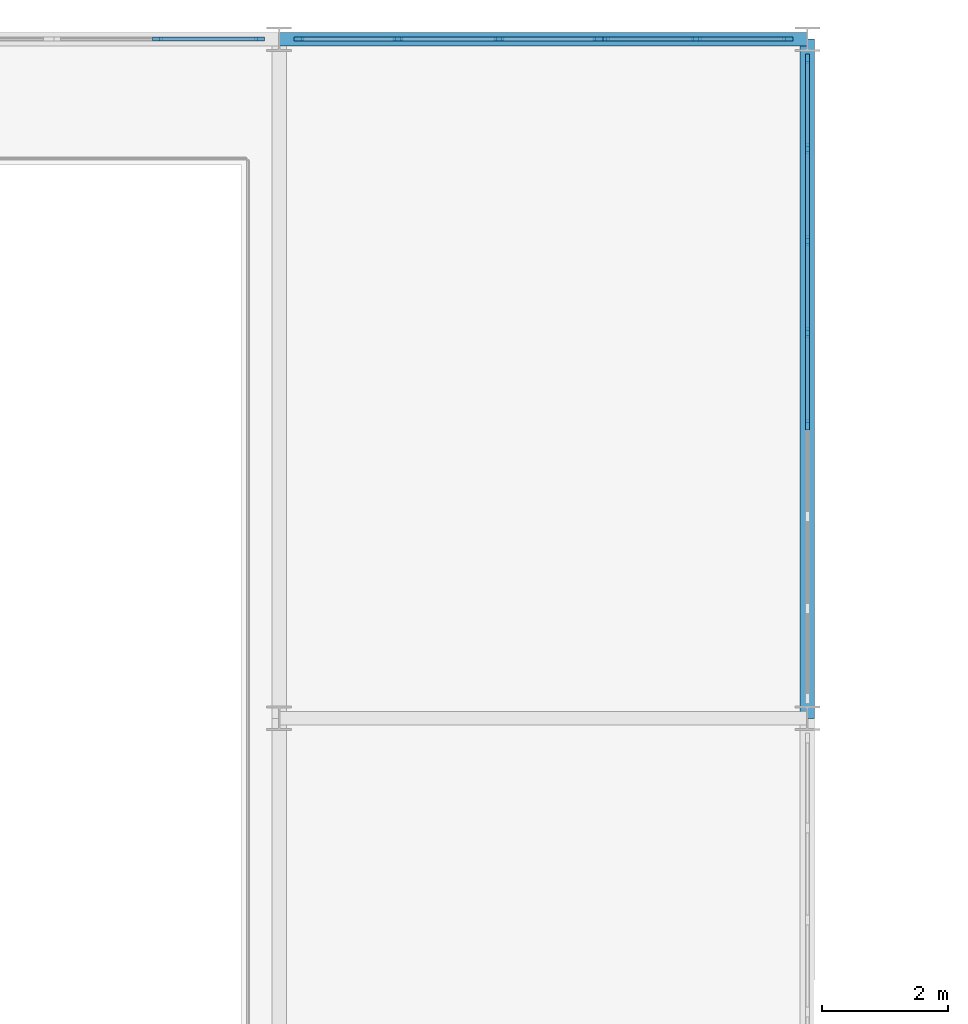
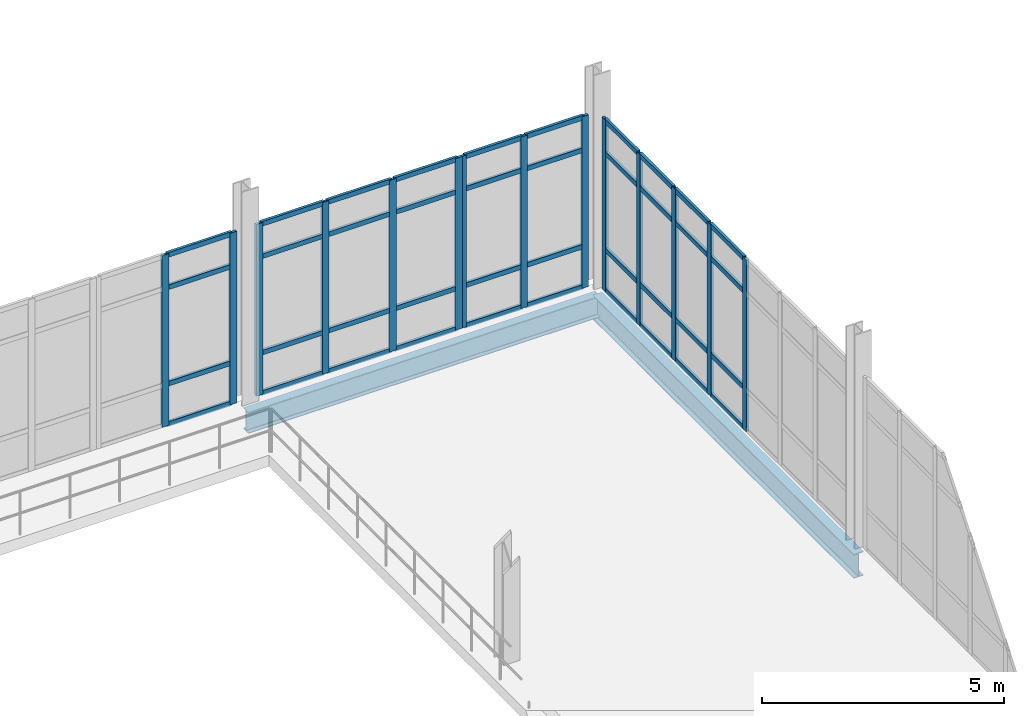
# One storey, part 60 of 111: 54 members, 2 beams, 4 elements without a shape of their own.
"""IFC4 building model written with IfcOpenShell, lengths in metres."""

from ifc_helpers import new_model, si_unit, direction, frame, origin, origin_2d, place, context, subcontext, project, spatial, rectangle, i_section, extrude, material, layer, layer_set, material_profile, profile_set, type_object, element, aggregate, save


model = new_model("IFC4")

# Units and contexts
model_context = context("Model", 3, precision=1e-05, world=origin(), true_north=direction((0.0, 1.0)))
body_context = subcontext(model_context, "Body", "Model", "MODEL_VIEW")
ifc_project = project(units=[si_unit("LENGTHUNIT", "METRE"), si_unit("AREAUNIT", "SQUARE_METRE"), si_unit("VOLUMEUNIT", "CUBIC_METRE"), si_unit("PLANEANGLEUNIT", "RADIAN"), si_unit("MASSUNIT", "GRAM", prefix="KILO"), si_unit("THERMODYNAMICTEMPERATUREUNIT", "KELVIN"), si_unit("POWERUNIT", "WATT")], contexts=[model_context])

# Site, building, storey
site_placement = place(None, origin())
site = spatial("IfcSite", under=ifc_project, at=site_placement, CompositionType="ELEMENT")
building_placement = place(site_placement, origin())
building = spatial("IfcBuilding", under=site, at=building_placement, Name="Tembeka Court Mobility Hub", CompositionType="ELEMENT")
storey_placement = place(building_placement, origin())
storey = spatial("IfcBuildingStorey", under=building, at=storey_placement, Name="L00", CompositionType="ELEMENT", Elevation=0.0)

# Beams
ifc_material_1 = material(Name="Steel S355", Category="steel")
ifc_material_profile_1 = material_profile(ifc_material_1, i_section(OverallWidth=0.22900390625, OverallDepth=0.612060546875, WebThickness=0.011962890625, FlangeThickness=0.01953125, FilletRadius=0.0126953125, at=origin_2d()), Name="UKB 610x229x125")
ifc_profile_set_1 = profile_set([ifc_material_profile_1], Name="Steel S355")
beam_type_1 = type_object("IfcBeamType", Name="BM-G02", PredefinedType="USERDEFINED", material=ifc_profile_set_1)
beam_1_placement = place(storey_placement, frame((92.39990234375, 108.0, -0.5859375), z_axis=(0.0, 1.0, 0.0), x_axis=(-1.0, 0.0, 0.0)))
element("IfcBeam", 1, at=beam_1_placement, inside=storey, type_object=beam_type_1, Name="Beam G02 (BM-L00-Y0268)", ObjectType="GIRDER", PredefinedType="USERDEFINED", context=body_context, shape_type="SweptSolid", body=[
    extrude(i_section(OverallWidth=0.22900390625, OverallDepth=0.612060546875, WebThickness=0.011962890625, FlangeThickness=0.01953125, FilletRadius=0.0126953125, at=origin_2d()), origin(), (0.0, 0.0, 1.0), 10.800048828125),
])
ifc_material_profile_2 = material_profile(ifc_material_1, i_section(OverallWidth=0.2099609375, OverallDepth=0.537109375, WebThickness=0.0107421875, FlangeThickness=0.017333984375, FilletRadius=0.0126953125, at=origin_2d()), Name="UKB 533x210x101")
ifc_profile_set_2 = profile_set([ifc_material_profile_2], Name="Steel S355")
beam_type_2 = type_object("IfcBeamType", Name="BM-G03", PredefinedType="USERDEFINED", material=ifc_profile_set_2)
beam_2_placement = place(storey_placement, frame((84.0, 118.800048828125, -0.548583984375), z_axis=(1.0, 0.0, 0.0), x_axis=(0.0, 1.0, 0.0)))
element("IfcBeam", 2, at=beam_2_placement, inside=storey, type_object=beam_type_2, Name="Beam G03 (BM-L00-X0162)", ObjectType="GIRDER", PredefinedType="USERDEFINED", context=body_context, shape_type="SweptSolid", body=[
    extrude(i_section(OverallWidth=0.2099609375, OverallDepth=0.537109375, WebThickness=0.0107421875, FlangeThickness=0.017333984375, FilletRadius=0.0126953125, at=origin_2d()), origin(), (0.0, 0.0, 1.0), 8.39990234375),
])

# Curtain wall, members
ifc_material_2 = material(Name="Anodised aluminium 6063-T6", Category="aluminium")
ifc_layer_1 = layer(ifc_material_2, 0.159912109375)
ifc_layer_set_1 = layer_set([ifc_layer_1], Name="Anodised aluminium 6063-T6")
curtain_wall_type_1 = type_object("IfcCurtainWallType", Name="CW-SYS02", PredefinedType="USERDEFINED", material=ifc_layer_set_1)
curtain_wall_1_placement = place(storey_placement, origin())
curtain_wall_1 = element("IfcCurtainWall", 3, at=curtain_wall_1_placement, inside=storey, type_object=curtain_wall_type_1, Name="Unitised curtain wall CW02 (CW-L00-019)", ObjectType="UNITISED GLAZING", PredefinedType="USERDEFINED")
ifc_material_profile_3 = material_profile(ifc_material_2, rectangle(XDim=0.06494140625, YDim=0.159912109375, at=origin_2d()), Name="ALU-MUL 65x160")
ifc_profile_set_3 = profile_set([ifc_material_profile_3], Name="Anodised aluminium 6063-T6")
member_type_1 = type_object("IfcMemberType", Name="CW-MUL01", PredefinedType="MULLION", material=ifc_profile_set_3)
member_1_placement = place(storey_placement, frame((82.06396484375, 118.800048828125, 0.0), z_axis=(0.0, 0.0, 1.0), x_axis=(0.0, 1.0, 0.0)))
member_1 = element("IfcMember", 4, at=member_1_placement, type_object=member_type_1, Name="CW02 mullion 2", PredefinedType="MULLION", context=body_context, shape_type="SweptSolid", body=[
    extrude(rectangle(XDim=0.06494140625, YDim=0.159912109375, at=origin_2d()), origin(), (0.0, 0.0, 1.0), 4.3349609375),
])
member_2_placement = place(storey_placement, frame((83.6875, 118.800048828125, 0.0), z_axis=(0.0, 0.0, 1.0), x_axis=(0.0, 1.0, 0.0)))
member_2 = element("IfcMember", 5, at=member_2_placement, type_object=member_type_1, Name="CW02 mullion 3", PredefinedType="MULLION", context=body_context, shape_type="SweptSolid", body=[
    extrude(rectangle(XDim=0.06494140625, YDim=0.159912109375, at=origin_2d()), origin(), (0.0, 0.0, 1.0), 4.3349609375),
])

ifc_layer_2 = layer(ifc_material_2, 0.159912109375)
ifc_layer_set_2 = layer_set([ifc_layer_2], Name="Anodised aluminium 6063-T6")
curtain_wall_type_2 = type_object("IfcCurtainWallType", Name="CW-SYS16", PredefinedType="USERDEFINED", material=ifc_layer_set_2)
curtain_wall_2_placement = place(storey_placement, origin())
curtain_wall_2 = element("IfcCurtainWall", 6, at=curtain_wall_2_placement, inside=storey, type_object=curtain_wall_type_2, Name="Unitised curtain wall CW16 (CW-L00-020)", ObjectType="UNITISED GLAZING", PredefinedType="USERDEFINED")
member_3_placement = place(storey_placement, frame((84.3125, 118.800048828125, 0.0), z_axis=(0.0, 0.0, 1.0), x_axis=(0.0, 1.0, 0.0)))
member_3 = element("IfcMember", 7, at=member_3_placement, type_object=member_type_1, Name="CW16 mullion 1", PredefinedType="MULLION", context=body_context, shape_type="SweptSolid", body=[
    extrude(rectangle(XDim=0.06494140625, YDim=0.159912109375, at=origin_2d()), origin(), (0.0, 0.0, 1.0), 4.3349609375),
])
member_4_placement = place(storey_placement, frame((85.887939453125, 118.800048828125, 0.0), z_axis=(0.0, 0.0, 1.0), x_axis=(0.0, 1.0, 0.0)))
member_4 = element("IfcMember", 8, at=member_4_placement, type_object=member_type_1, Name="CW16 mullion 2", PredefinedType="MULLION", context=body_context, shape_type="SweptSolid", body=[
    extrude(rectangle(XDim=0.06494140625, YDim=0.159912109375, at=origin_2d()), origin(), (0.0, 0.0, 1.0), 4.3349609375),
])
member_5_placement = place(storey_placement, frame((87.49609375, 118.800048828125, 0.0), z_axis=(0.0, 0.0, 1.0), x_axis=(0.0, 1.0, 0.0)))
member_5 = element("IfcMember", 9, at=member_5_placement, type_object=member_type_1, Name="CW16 mullion 3", PredefinedType="MULLION", context=body_context, shape_type="SweptSolid", body=[
    extrude(rectangle(XDim=0.06494140625, YDim=0.159912109375, at=origin_2d()), origin(), (0.0, 0.0, 1.0), 4.3349609375),
])
member_6_placement = place(storey_placement, frame((89.071533203125, 118.800048828125, 0.0), z_axis=(0.0, 0.0, 1.0), x_axis=(0.0, 1.0, 0.0)))
member_6 = element("IfcMember", 10, at=member_6_placement, type_object=member_type_1, Name="CW16 mullion 4", PredefinedType="MULLION", context=body_context, shape_type="SweptSolid", body=[
    extrude(rectangle(XDim=0.06494140625, YDim=0.159912109375, at=origin_2d()), origin(), (0.0, 0.0, 1.0), 4.3349609375),
])

ifc_layer_3 = layer(ifc_material_2, 0.159912109375)
ifc_layer_set_3 = layer_set([ifc_layer_3], Name="Anodised aluminium 6063-T6")
curtain_wall_type_3 = type_object("IfcCurtainWallType", Name="CW-SYS17", PredefinedType="USERDEFINED", material=ifc_layer_set_3)
curtain_wall_3_placement = place(storey_placement, origin())
curtain_wall_3 = element("IfcCurtainWall", 11, at=curtain_wall_3_placement, inside=storey, type_object=curtain_wall_type_3, Name="Unitised curtain wall CW17 (CW-L00-021)", ObjectType="UNITISED GLAZING", PredefinedType="USERDEFINED")
member_7_placement = place(storey_placement, frame((89.176513671875, 118.800048828125, 0.0), z_axis=(0.0, 0.0, 1.0), x_axis=(0.0, 1.0, 0.0)))
member_7 = element("IfcMember", 12, at=member_7_placement, type_object=member_type_1, Name="CW17 mullion 1", PredefinedType="MULLION", context=body_context, shape_type="SweptSolid", body=[
    extrude(rectangle(XDim=0.06494140625, YDim=0.159912109375, at=origin_2d()), origin(), (0.0, 0.0, 1.0), 4.3349609375),
])
member_8_placement = place(storey_placement, frame((90.632080078125, 118.800048828125, 0.0), z_axis=(0.0, 0.0, 1.0), x_axis=(0.0, 1.0, 0.0)))
member_8 = element("IfcMember", 13, at=member_8_placement, type_object=member_type_1, Name="CW17 mullion 2", PredefinedType="MULLION", context=body_context, shape_type="SweptSolid", body=[
    extrude(rectangle(XDim=0.06494140625, YDim=0.159912109375, at=origin_2d()), origin(), (0.0, 0.0, 1.0), 4.3349609375),
])
member_9_placement = place(storey_placement, frame((92.08740234375, 118.800048828125, 0.0), z_axis=(0.0, 0.0, 1.0), x_axis=(0.0, 1.0, 0.0)))
member_9 = element("IfcMember", 14, at=member_9_placement, type_object=member_type_1, Name="CW17 mullion 3", PredefinedType="MULLION", context=body_context, shape_type="SweptSolid", body=[
    extrude(rectangle(XDim=0.06494140625, YDim=0.159912109375, at=origin_2d()), origin(), (0.0, 0.0, 1.0), 4.3349609375),
])

ifc_layer_4 = layer(ifc_material_2, 0.159912109375)
ifc_layer_set_4 = layer_set([ifc_layer_4], Name="Anodised aluminium 6063-T6")
curtain_wall_type_4 = type_object("IfcCurtainWallType", Name="CW-SYS18", PredefinedType="USERDEFINED", material=ifc_layer_set_4)
curtain_wall_4_placement = place(storey_placement, origin())
curtain_wall_4 = element("IfcCurtainWall", 15, at=curtain_wall_4_placement, inside=storey, type_object=curtain_wall_type_4, Name="Unitised curtain wall CW18 (CW-L00-034)", ObjectType="UNITISED GLAZING", PredefinedType="USERDEFINED")
member_10_placement = place(storey_placement, frame((92.39990234375, 112.66845703125, 0.0), z_axis=(0.0, 0.0, 1.0), x_axis=(-1.0, 0.0, 0.0)))
member_10 = element("IfcMember", 16, at=member_10_placement, type_object=member_type_1, Name="CW18 mullion 4", PredefinedType="MULLION", context=body_context, shape_type="SweptSolid", body=[
    extrude(rectangle(XDim=0.06494140625, YDim=0.159912109375, at=origin_2d()), origin(), (0.0, 0.0, 1.0), 4.3349609375),
])
member_11_placement = place(storey_placement, frame((92.39990234375, 114.13134765625, 0.0), z_axis=(0.0, 0.0, 1.0), x_axis=(-1.0, 0.0, 0.0)))
member_11 = element("IfcMember", 17, at=member_11_placement, type_object=member_type_1, Name="CW18 mullion 5", PredefinedType="MULLION", context=body_context, shape_type="SweptSolid", body=[
    extrude(rectangle(XDim=0.06494140625, YDim=0.159912109375, at=origin_2d()), origin(), (0.0, 0.0, 1.0), 4.3349609375),
])
member_12_placement = place(storey_placement, frame((92.39990234375, 115.59423828125, 0.0), z_axis=(0.0, 0.0, 1.0), x_axis=(-1.0, 0.0, 0.0)))
member_12 = element("IfcMember", 18, at=member_12_placement, type_object=member_type_1, Name="CW18 mullion 6", PredefinedType="MULLION", context=body_context, shape_type="SweptSolid", body=[
    extrude(rectangle(XDim=0.06494140625, YDim=0.159912109375, at=origin_2d()), origin(), (0.0, 0.0, 1.0), 4.3349609375),
])
member_13_placement = place(storey_placement, frame((92.39990234375, 117.05712890625, 0.0), z_axis=(0.0, 0.0, 1.0), x_axis=(-1.0, 0.0, 0.0)))
member_13 = element("IfcMember", 19, at=member_13_placement, type_object=member_type_1, Name="CW18 mullion 7", PredefinedType="MULLION", context=body_context, shape_type="SweptSolid", body=[
    extrude(rectangle(XDim=0.06494140625, YDim=0.159912109375, at=origin_2d()), origin(), (0.0, 0.0, 1.0), 4.3349609375),
])
member_14_placement = place(storey_placement, frame((92.39990234375, 118.487548828125, 0.0), z_axis=(0.0, 0.0, 1.0), x_axis=(-1.0, 0.0, 0.0)))
member_14 = element("IfcMember", 20, at=member_14_placement, type_object=member_type_1, Name="CW18 mullion 8", PredefinedType="MULLION", context=body_context, shape_type="SweptSolid", body=[
    extrude(rectangle(XDim=0.06494140625, YDim=0.159912109375, at=origin_2d()), origin(), (0.0, 0.0, 1.0), 4.3349609375),
])

# Member
ifc_material_profile_4 = material_profile(ifc_material_2, rectangle(XDim=0.06494140625, YDim=0.1201171875, at=origin_2d()), Name="ALU-TRN 65x120")
ifc_profile_set_4 = profile_set([ifc_material_profile_4], Name="Anodised aluminium 6063-T6")
member_type_2 = type_object("IfcMemberType", Name="CW-TRN01", PredefinedType="USERDEFINED", material=ifc_profile_set_4)
member_15_placement = place(storey_placement, frame((82.096435546875, 118.800048828125, 0.032470703125), z_axis=(1.0, 0.0, 0.0), x_axis=(0.0, 1.0, 0.0)))
member_15 = element("IfcMember", 21, at=member_15_placement, type_object=member_type_2, Name="CW02 transom 2.1", ObjectType="TRANSOM", PredefinedType="USERDEFINED", context=body_context, shape_type="SweptSolid", body=[
    extrude(rectangle(XDim=0.06494140625, YDim=0.1201171875, at=origin_2d()), origin(), (0.0, 0.0, 1.0), 1.55859375),
])

member_16_placement = place(storey_placement, frame((82.096435546875, 118.800048828125, 1.050048828125), z_axis=(1.0, 0.0, 0.0), x_axis=(0.0, 1.0, 0.0)))
member_16 = element("IfcMember", 22, at=member_16_placement, type_object=member_type_2, Name="CW02 transom 2.2", ObjectType="TRANSOM", PredefinedType="USERDEFINED", context=body_context, shape_type="SweptSolid", body=[
    extrude(rectangle(XDim=0.06494140625, YDim=0.1201171875, at=origin_2d()), origin(), (0.0, 0.0, 1.0), 1.55859375),
])

member_17_placement = place(storey_placement, frame((82.096435546875, 118.800048828125, 3.485107421875), z_axis=(1.0, 0.0, 0.0), x_axis=(0.0, 1.0, 0.0)))
member_17 = element("IfcMember", 23, at=member_17_placement, type_object=member_type_2, Name="CW02 transom 2.3", ObjectType="TRANSOM", PredefinedType="USERDEFINED", context=body_context, shape_type="SweptSolid", body=[
    extrude(rectangle(XDim=0.06494140625, YDim=0.1201171875, at=origin_2d()), origin(), (0.0, 0.0, 1.0), 1.55859375),
])

member_18_placement = place(storey_placement, frame((82.096435546875, 118.800048828125, 4.302490234375), z_axis=(1.0, 0.0, 0.0), x_axis=(0.0, 1.0, 0.0)))
member_18 = element("IfcMember", 24, at=member_18_placement, type_object=member_type_2, Name="CW02 transom 2.4", ObjectType="TRANSOM", PredefinedType="USERDEFINED", context=body_context, shape_type="SweptSolid", body=[
    extrude(rectangle(XDim=0.06494140625, YDim=0.1201171875, at=origin_2d()), origin(), (0.0, 0.0, 1.0), 1.55859375),
])

aggregate(curtain_wall_1, [member_1, member_2, member_15, member_16, member_17, member_18])

member_19_placement = place(storey_placement, frame((84.344970703125, 118.800048828125, 0.032470703125), z_axis=(1.0, 0.0, 0.0), x_axis=(0.0, 1.0, 0.0)))
member_19 = element("IfcMember", 25, at=member_19_placement, type_object=member_type_2, Name="CW16 transom 1.1", ObjectType="TRANSOM", PredefinedType="USERDEFINED", context=body_context, shape_type="SweptSolid", body=[
    extrude(rectangle(XDim=0.06494140625, YDim=0.1201171875, at=origin_2d()), origin(), (0.0, 0.0, 1.0), 1.510498046875),
])

member_20_placement = place(storey_placement, frame((84.344970703125, 118.800048828125, 1.050048828125), z_axis=(1.0, 0.0, 0.0), x_axis=(0.0, 1.0, 0.0)))
member_20 = element("IfcMember", 26, at=member_20_placement, type_object=member_type_2, Name="CW16 transom 1.2", ObjectType="TRANSOM", PredefinedType="USERDEFINED", context=body_context, shape_type="SweptSolid", body=[
    extrude(rectangle(XDim=0.06494140625, YDim=0.1201171875, at=origin_2d()), origin(), (0.0, 0.0, 1.0), 1.510498046875),
])

member_21_placement = place(storey_placement, frame((84.344970703125, 118.800048828125, 3.485107421875), z_axis=(1.0, 0.0, 0.0), x_axis=(0.0, 1.0, 0.0)))
member_21 = element("IfcMember", 27, at=member_21_placement, type_object=member_type_2, Name="CW16 transom 1.3", ObjectType="TRANSOM", PredefinedType="USERDEFINED", context=body_context, shape_type="SweptSolid", body=[
    extrude(rectangle(XDim=0.06494140625, YDim=0.1201171875, at=origin_2d()), origin(), (0.0, 0.0, 1.0), 1.510498046875),
])

member_22_placement = place(storey_placement, frame((84.344970703125, 118.800048828125, 4.302490234375), z_axis=(1.0, 0.0, 0.0), x_axis=(0.0, 1.0, 0.0)))
member_22 = element("IfcMember", 28, at=member_22_placement, type_object=member_type_2, Name="CW16 transom 1.4", ObjectType="TRANSOM", PredefinedType="USERDEFINED", context=body_context, shape_type="SweptSolid", body=[
    extrude(rectangle(XDim=0.06494140625, YDim=0.1201171875, at=origin_2d()), origin(), (0.0, 0.0, 1.0), 1.510498046875),
])

member_23_placement = place(storey_placement, frame((85.92041015625, 118.800048828125, 0.032470703125), z_axis=(1.0, 0.0, 0.0), x_axis=(0.0, 1.0, 0.0)))
member_23 = element("IfcMember", 29, at=member_23_placement, type_object=member_type_2, Name="CW16 transom 2.1", ObjectType="TRANSOM", PredefinedType="USERDEFINED", context=body_context, shape_type="SweptSolid", body=[
    extrude(rectangle(XDim=0.06494140625, YDim=0.1201171875, at=origin_2d()), origin(), (0.0, 0.0, 1.0), 1.54296875),
])

member_24_placement = place(storey_placement, frame((85.92041015625, 118.800048828125, 1.050048828125), z_axis=(1.0, 0.0, 0.0), x_axis=(0.0, 1.0, 0.0)))
member_24 = element("IfcMember", 30, at=member_24_placement, type_object=member_type_2, Name="CW16 transom 2.2", ObjectType="TRANSOM", PredefinedType="USERDEFINED", context=body_context, shape_type="SweptSolid", body=[
    extrude(rectangle(XDim=0.06494140625, YDim=0.1201171875, at=origin_2d()), origin(), (0.0, 0.0, 1.0), 1.54296875),
])

member_25_placement = place(storey_placement, frame((85.92041015625, 118.800048828125, 3.485107421875), z_axis=(1.0, 0.0, 0.0), x_axis=(0.0, 1.0, 0.0)))
member_25 = element("IfcMember", 31, at=member_25_placement, type_object=member_type_2, Name="CW16 transom 2.3", ObjectType="TRANSOM", PredefinedType="USERDEFINED", context=body_context, shape_type="SweptSolid", body=[
    extrude(rectangle(XDim=0.06494140625, YDim=0.1201171875, at=origin_2d()), origin(), (0.0, 0.0, 1.0), 1.54296875),
])

member_26_placement = place(storey_placement, frame((85.92041015625, 118.800048828125, 4.302490234375), z_axis=(1.0, 0.0, 0.0), x_axis=(0.0, 1.0, 0.0)))
member_26 = element("IfcMember", 32, at=member_26_placement, type_object=member_type_2, Name="CW16 transom 2.4", ObjectType="TRANSOM", PredefinedType="USERDEFINED", context=body_context, shape_type="SweptSolid", body=[
    extrude(rectangle(XDim=0.06494140625, YDim=0.1201171875, at=origin_2d()), origin(), (0.0, 0.0, 1.0), 1.54296875),
])

member_27_placement = place(storey_placement, frame((87.528564453125, 118.800048828125, 0.032470703125), z_axis=(1.0, 0.0, 0.0), x_axis=(0.0, 1.0, 0.0)))
member_27 = element("IfcMember", 33, at=member_27_placement, type_object=member_type_2, Name="CW16 transom 3.1", ObjectType="TRANSOM", PredefinedType="USERDEFINED", context=body_context, shape_type="SweptSolid", body=[
    extrude(rectangle(XDim=0.06494140625, YDim=0.1201171875, at=origin_2d()), origin(), (0.0, 0.0, 1.0), 1.510498046875),
])

member_28_placement = place(storey_placement, frame((87.528564453125, 118.800048828125, 1.050048828125), z_axis=(1.0, 0.0, 0.0), x_axis=(0.0, 1.0, 0.0)))
member_28 = element("IfcMember", 34, at=member_28_placement, type_object=member_type_2, Name="CW16 transom 3.2", ObjectType="TRANSOM", PredefinedType="USERDEFINED", context=body_context, shape_type="SweptSolid", body=[
    extrude(rectangle(XDim=0.06494140625, YDim=0.1201171875, at=origin_2d()), origin(), (0.0, 0.0, 1.0), 1.510498046875),
])

member_29_placement = place(storey_placement, frame((87.528564453125, 118.800048828125, 3.485107421875), z_axis=(1.0, 0.0, 0.0), x_axis=(0.0, 1.0, 0.0)))
member_29 = element("IfcMember", 35, at=member_29_placement, type_object=member_type_2, Name="CW16 transom 3.3", ObjectType="TRANSOM", PredefinedType="USERDEFINED", context=body_context, shape_type="SweptSolid", body=[
    extrude(rectangle(XDim=0.06494140625, YDim=0.1201171875, at=origin_2d()), origin(), (0.0, 0.0, 1.0), 1.510498046875),
])

member_30_placement = place(storey_placement, frame((87.528564453125, 118.800048828125, 4.302490234375), z_axis=(1.0, 0.0, 0.0), x_axis=(0.0, 1.0, 0.0)))
member_30 = element("IfcMember", 36, at=member_30_placement, type_object=member_type_2, Name="CW16 transom 3.4", ObjectType="TRANSOM", PredefinedType="USERDEFINED", context=body_context, shape_type="SweptSolid", body=[
    extrude(rectangle(XDim=0.06494140625, YDim=0.1201171875, at=origin_2d()), origin(), (0.0, 0.0, 1.0), 1.510498046875),
])

aggregate(curtain_wall_2, [member_3, member_4, member_5, member_6, member_19, member_20, member_21, member_22, member_23, member_24, member_25, member_26, member_27, member_28, member_29, member_30])

member_31_placement = place(storey_placement, frame((89.208984375, 118.800048828125, 0.032470703125), z_axis=(1.0, 0.0, 0.0), x_axis=(0.0, 1.0, 0.0)))
member_31 = element("IfcMember", 37, at=member_31_placement, type_object=member_type_2, Name="CW17 transom 1.1", ObjectType="TRANSOM", PredefinedType="USERDEFINED", context=body_context, shape_type="SweptSolid", body=[
    extrude(rectangle(XDim=0.06494140625, YDim=0.1201171875, at=origin_2d()), origin(), (0.0, 0.0, 1.0), 1.390625),
])

member_32_placement = place(storey_placement, frame((89.208984375, 118.800048828125, 1.050048828125), z_axis=(1.0, 0.0, 0.0), x_axis=(0.0, 1.0, 0.0)))
member_32 = element("IfcMember", 38, at=member_32_placement, type_object=member_type_2, Name="CW17 transom 1.2", ObjectType="TRANSOM", PredefinedType="USERDEFINED", context=body_context, shape_type="SweptSolid", body=[
    extrude(rectangle(XDim=0.06494140625, YDim=0.1201171875, at=origin_2d()), origin(), (0.0, 0.0, 1.0), 1.390625),
])

member_33_placement = place(storey_placement, frame((89.208984375, 118.800048828125, 3.485107421875), z_axis=(1.0, 0.0, 0.0), x_axis=(0.0, 1.0, 0.0)))
member_33 = element("IfcMember", 39, at=member_33_placement, type_object=member_type_2, Name="CW17 transom 1.3", ObjectType="TRANSOM", PredefinedType="USERDEFINED", context=body_context, shape_type="SweptSolid", body=[
    extrude(rectangle(XDim=0.06494140625, YDim=0.1201171875, at=origin_2d()), origin(), (0.0, 0.0, 1.0), 1.390625),
])

member_34_placement = place(storey_placement, frame((89.208984375, 118.800048828125, 4.302490234375), z_axis=(1.0, 0.0, 0.0), x_axis=(0.0, 1.0, 0.0)))
member_34 = element("IfcMember", 40, at=member_34_placement, type_object=member_type_2, Name="CW17 transom 1.4", ObjectType="TRANSOM", PredefinedType="USERDEFINED", context=body_context, shape_type="SweptSolid", body=[
    extrude(rectangle(XDim=0.06494140625, YDim=0.1201171875, at=origin_2d()), origin(), (0.0, 0.0, 1.0), 1.390625),
])

member_35_placement = place(storey_placement, frame((90.66455078125, 118.800048828125, 0.032470703125), z_axis=(1.0, 0.0, 0.0), x_axis=(0.0, 1.0, 0.0)))
member_35 = element("IfcMember", 41, at=member_35_placement, type_object=member_type_2, Name="CW17 transom 2.1", ObjectType="TRANSOM", PredefinedType="USERDEFINED", context=body_context, shape_type="SweptSolid", body=[
    extrude(rectangle(XDim=0.06494140625, YDim=0.1201171875, at=origin_2d()), origin(), (0.0, 0.0, 1.0), 1.390380859375),
])

member_36_placement = place(storey_placement, frame((90.66455078125, 118.800048828125, 1.050048828125), z_axis=(1.0, 0.0, 0.0), x_axis=(0.0, 1.0, 0.0)))
member_36 = element("IfcMember", 42, at=member_36_placement, type_object=member_type_2, Name="CW17 transom 2.2", ObjectType="TRANSOM", PredefinedType="USERDEFINED", context=body_context, shape_type="SweptSolid", body=[
    extrude(rectangle(XDim=0.06494140625, YDim=0.1201171875, at=origin_2d()), origin(), (0.0, 0.0, 1.0), 1.390380859375),
])

member_37_placement = place(storey_placement, frame((90.66455078125, 118.800048828125, 3.485107421875), z_axis=(1.0, 0.0, 0.0), x_axis=(0.0, 1.0, 0.0)))
member_37 = element("IfcMember", 43, at=member_37_placement, type_object=member_type_2, Name="CW17 transom 2.3", ObjectType="TRANSOM", PredefinedType="USERDEFINED", context=body_context, shape_type="SweptSolid", body=[
    extrude(rectangle(XDim=0.06494140625, YDim=0.1201171875, at=origin_2d()), origin(), (0.0, 0.0, 1.0), 1.390380859375),
])

member_38_placement = place(storey_placement, frame((90.66455078125, 118.800048828125, 4.302490234375), z_axis=(1.0, 0.0, 0.0), x_axis=(0.0, 1.0, 0.0)))
member_38 = element("IfcMember", 44, at=member_38_placement, type_object=member_type_2, Name="CW17 transom 2.4", ObjectType="TRANSOM", PredefinedType="USERDEFINED", context=body_context, shape_type="SweptSolid", body=[
    extrude(rectangle(XDim=0.06494140625, YDim=0.1201171875, at=origin_2d()), origin(), (0.0, 0.0, 1.0), 1.390380859375),
])

aggregate(curtain_wall_3, [member_7, member_8, member_9, member_31, member_32, member_33, member_34, member_35, member_36, member_37, member_38])

member_39_placement = place(storey_placement, frame((92.39990234375, 112.701171875, 0.032470703125), z_axis=(0.0, 1.0, 0.0), x_axis=(-1.0, 0.0, 0.0)))
member_39 = element("IfcMember", 45, at=member_39_placement, type_object=member_type_2, Name="CW18 transom 4.1", ObjectType="TRANSOM", PredefinedType="USERDEFINED", context=body_context, shape_type="SweptSolid", body=[
    extrude(rectangle(XDim=0.06494140625, YDim=0.1201171875, at=origin_2d()), origin(), (0.0, 0.0, 1.0), 1.397705078125),
])

member_40_placement = place(storey_placement, frame((92.39990234375, 112.701171875, 1.050048828125), z_axis=(0.0, 1.0, 0.0), x_axis=(-1.0, 0.0, 0.0)))
member_40 = element("IfcMember", 46, at=member_40_placement, type_object=member_type_2, Name="CW18 transom 4.2", ObjectType="TRANSOM", PredefinedType="USERDEFINED", context=body_context, shape_type="SweptSolid", body=[
    extrude(rectangle(XDim=0.06494140625, YDim=0.1201171875, at=origin_2d()), origin(), (0.0, 0.0, 1.0), 1.397705078125),
])

member_41_placement = place(storey_placement, frame((92.39990234375, 112.701171875, 3.485107421875), z_axis=(0.0, 1.0, 0.0), x_axis=(-1.0, 0.0, 0.0)))
member_41 = element("IfcMember", 47, at=member_41_placement, type_object=member_type_2, Name="CW18 transom 4.3", ObjectType="TRANSOM", PredefinedType="USERDEFINED", context=body_context, shape_type="SweptSolid", body=[
    extrude(rectangle(XDim=0.06494140625, YDim=0.1201171875, at=origin_2d()), origin(), (0.0, 0.0, 1.0), 1.397705078125),
])

member_42_placement = place(storey_placement, frame((92.39990234375, 112.701171875, 4.302490234375), z_axis=(0.0, 1.0, 0.0), x_axis=(-1.0, 0.0, 0.0)))
member_42 = element("IfcMember", 48, at=member_42_placement, type_object=member_type_2, Name="CW18 transom 4.4", ObjectType="TRANSOM", PredefinedType="USERDEFINED", context=body_context, shape_type="SweptSolid", body=[
    extrude(rectangle(XDim=0.06494140625, YDim=0.1201171875, at=origin_2d()), origin(), (0.0, 0.0, 1.0), 1.397705078125),
])

member_43_placement = place(storey_placement, frame((92.39990234375, 114.163818359375, 0.032470703125), z_axis=(0.0, 1.0, 0.0), x_axis=(-1.0, 0.0, 0.0)))
member_43 = element("IfcMember", 49, at=member_43_placement, type_object=member_type_2, Name="CW18 transom 5.1", ObjectType="TRANSOM", PredefinedType="USERDEFINED", context=body_context, shape_type="SweptSolid", body=[
    extrude(rectangle(XDim=0.06494140625, YDim=0.1201171875, at=origin_2d()), origin(), (0.0, 0.0, 1.0), 1.39794921875),
])

member_44_placement = place(storey_placement, frame((92.39990234375, 114.163818359375, 1.050048828125), z_axis=(0.0, 1.0, 0.0), x_axis=(-1.0, 0.0, 0.0)))
member_44 = element("IfcMember", 50, at=member_44_placement, type_object=member_type_2, Name="CW18 transom 5.2", ObjectType="TRANSOM", PredefinedType="USERDEFINED", context=body_context, shape_type="SweptSolid", body=[
    extrude(rectangle(XDim=0.06494140625, YDim=0.1201171875, at=origin_2d()), origin(), (0.0, 0.0, 1.0), 1.39794921875),
])

member_45_placement = place(storey_placement, frame((92.39990234375, 114.163818359375, 3.485107421875), z_axis=(0.0, 1.0, 0.0), x_axis=(-1.0, 0.0, 0.0)))
member_45 = element("IfcMember", 51, at=member_45_placement, type_object=member_type_2, Name="CW18 transom 5.3", ObjectType="TRANSOM", PredefinedType="USERDEFINED", context=body_context, shape_type="SweptSolid", body=[
    extrude(rectangle(XDim=0.06494140625, YDim=0.1201171875, at=origin_2d()), origin(), (0.0, 0.0, 1.0), 1.39794921875),
])

member_46_placement = place(storey_placement, frame((92.39990234375, 114.163818359375, 4.302490234375), z_axis=(0.0, 1.0, 0.0), x_axis=(-1.0, 0.0, 0.0)))
member_46 = element("IfcMember", 52, at=member_46_placement, type_object=member_type_2, Name="CW18 transom 5.4", ObjectType="TRANSOM", PredefinedType="USERDEFINED", context=body_context, shape_type="SweptSolid", body=[
    extrude(rectangle(XDim=0.06494140625, YDim=0.1201171875, at=origin_2d()), origin(), (0.0, 0.0, 1.0), 1.39794921875),
])

member_47_placement = place(storey_placement, frame((92.39990234375, 115.626708984375, 0.032470703125), z_axis=(0.0, 1.0, 0.0), x_axis=(-1.0, 0.0, 0.0)))
member_47 = element("IfcMember", 53, at=member_47_placement, type_object=member_type_2, Name="CW18 transom 6.1", ObjectType="TRANSOM", PredefinedType="USERDEFINED", context=body_context, shape_type="SweptSolid", body=[
    extrude(rectangle(XDim=0.06494140625, YDim=0.1201171875, at=origin_2d()), origin(), (0.0, 0.0, 1.0), 1.39794921875),
])

member_48_placement = place(storey_placement, frame((92.39990234375, 115.626708984375, 1.050048828125), z_axis=(0.0, 1.0, 0.0), x_axis=(-1.0, 0.0, 0.0)))
member_48 = element("IfcMember", 54, at=member_48_placement, type_object=member_type_2, Name="CW18 transom 6.2", ObjectType="TRANSOM", PredefinedType="USERDEFINED", context=body_context, shape_type="SweptSolid", body=[
    extrude(rectangle(XDim=0.06494140625, YDim=0.1201171875, at=origin_2d()), origin(), (0.0, 0.0, 1.0), 1.39794921875),
])

member_49_placement = place(storey_placement, frame((92.39990234375, 115.626708984375, 3.485107421875), z_axis=(0.0, 1.0, 0.0), x_axis=(-1.0, 0.0, 0.0)))
member_49 = element("IfcMember", 55, at=member_49_placement, type_object=member_type_2, Name="CW18 transom 6.3", ObjectType="TRANSOM", PredefinedType="USERDEFINED", context=body_context, shape_type="SweptSolid", body=[
    extrude(rectangle(XDim=0.06494140625, YDim=0.1201171875, at=origin_2d()), origin(), (0.0, 0.0, 1.0), 1.39794921875),
])

member_50_placement = place(storey_placement, frame((92.39990234375, 115.626708984375, 4.302490234375), z_axis=(0.0, 1.0, 0.0), x_axis=(-1.0, 0.0, 0.0)))
member_50 = element("IfcMember", 56, at=member_50_placement, type_object=member_type_2, Name="CW18 transom 6.4", ObjectType="TRANSOM", PredefinedType="USERDEFINED", context=body_context, shape_type="SweptSolid", body=[
    extrude(rectangle(XDim=0.06494140625, YDim=0.1201171875, at=origin_2d()), origin(), (0.0, 0.0, 1.0), 1.39794921875),
])

member_51_placement = place(storey_placement, frame((92.39990234375, 117.089599609375, 0.032470703125), z_axis=(0.0, 1.0, 0.0), x_axis=(-1.0, 0.0, 0.0)))
member_51 = element("IfcMember", 57, at=member_51_placement, type_object=member_type_2, Name="CW18 transom 7.1", ObjectType="TRANSOM", PredefinedType="USERDEFINED", context=body_context, shape_type="SweptSolid", body=[
    extrude(rectangle(XDim=0.06494140625, YDim=0.1201171875, at=origin_2d()), origin(), (0.0, 0.0, 1.0), 1.365478515625),
])

member_52_placement = place(storey_placement, frame((92.39990234375, 117.089599609375, 1.050048828125), z_axis=(0.0, 1.0, 0.0), x_axis=(-1.0, 0.0, 0.0)))
member_52 = element("IfcMember", 58, at=member_52_placement, type_object=member_type_2, Name="CW18 transom 7.2", ObjectType="TRANSOM", PredefinedType="USERDEFINED", context=body_context, shape_type="SweptSolid", body=[
    extrude(rectangle(XDim=0.06494140625, YDim=0.1201171875, at=origin_2d()), origin(), (0.0, 0.0, 1.0), 1.365478515625),
])

member_53_placement = place(storey_placement, frame((92.39990234375, 117.089599609375, 3.485107421875), z_axis=(0.0, 1.0, 0.0), x_axis=(-1.0, 0.0, 0.0)))
member_53 = element("IfcMember", 59, at=member_53_placement, type_object=member_type_2, Name="CW18 transom 7.3", ObjectType="TRANSOM", PredefinedType="USERDEFINED", context=body_context, shape_type="SweptSolid", body=[
    extrude(rectangle(XDim=0.06494140625, YDim=0.1201171875, at=origin_2d()), origin(), (0.0, 0.0, 1.0), 1.365478515625),
])

member_54_placement = place(storey_placement, frame((92.39990234375, 117.089599609375, 4.302490234375), z_axis=(0.0, 1.0, 0.0), x_axis=(-1.0, 0.0, 0.0)))
member_54 = element("IfcMember", 60, at=member_54_placement, type_object=member_type_2, Name="CW18 transom 7.4", ObjectType="TRANSOM", PredefinedType="USERDEFINED", context=body_context, shape_type="SweptSolid", body=[
    extrude(rectangle(XDim=0.06494140625, YDim=0.1201171875, at=origin_2d()), origin(), (0.0, 0.0, 1.0), 1.365478515625),
])

aggregate(curtain_wall_4, [member_10, member_11, member_12, member_13, member_14, member_39, member_40, member_41, member_42, member_43, member_44, member_45, member_46, member_47, member_48, member_49, member_50, member_51, member_52, member_53, member_54])

save(model, "model.ifc")
